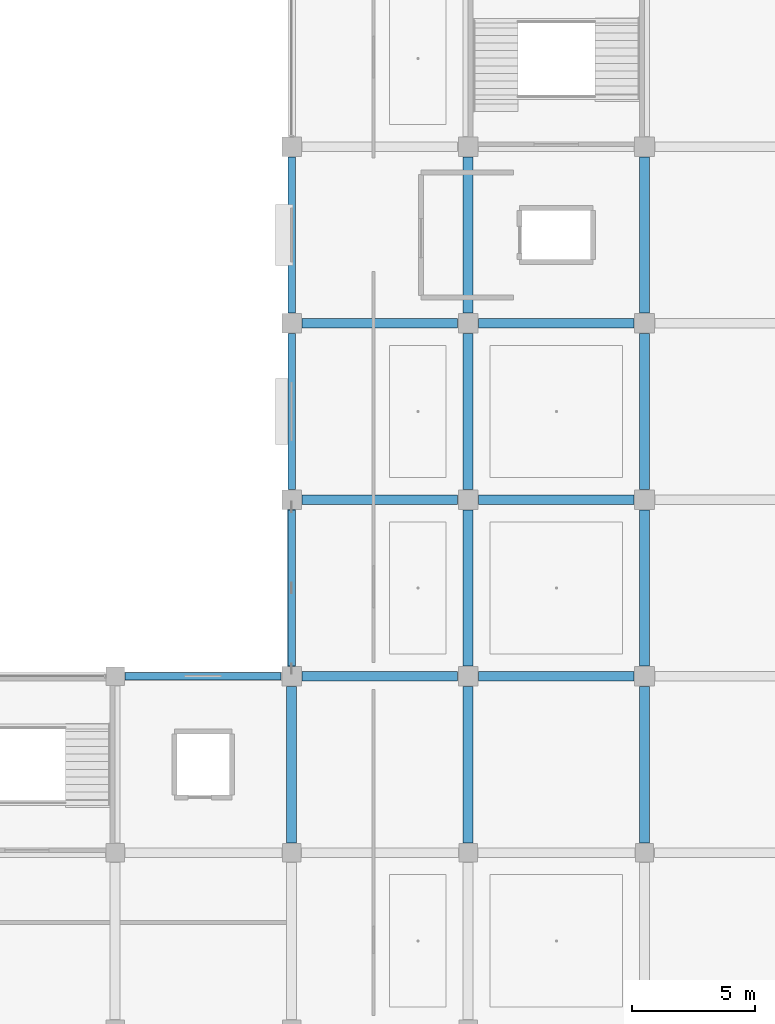
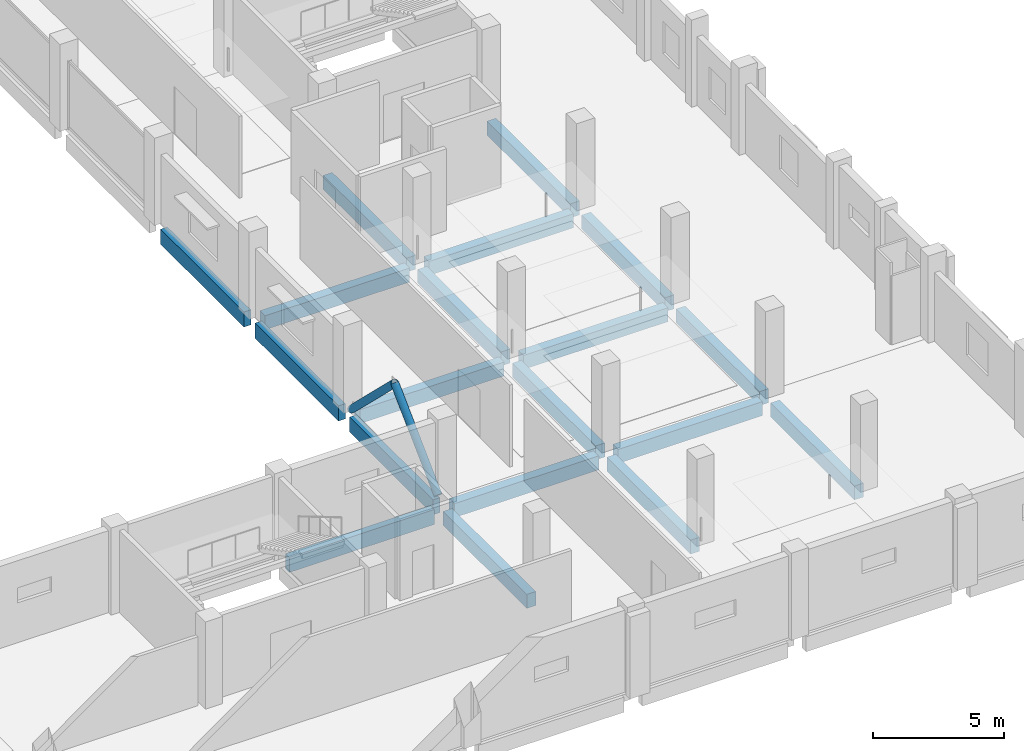
# One storey, part 55 of 107: 19 beams, 2 members.
"""IFC4 building model written with IfcOpenShell, lengths in metres."""

from ifc_helpers import new_model, si_unit, direction, frame, origin, origin_2d, place, context, subcontext, project, spatial, rectangle, hollow_circle, extrude, material, material_profile, profile_set, type_object, element, save


model = new_model("IFC4")

# Units and contexts
model_context = context("Model", 3, precision=1e-05, world=origin(), true_north=direction((0.0, 1.0)))
body_context = subcontext(model_context, "Body", "Model", "MODEL_VIEW")
ifc_project = project(units=[si_unit("LENGTHUNIT", "METRE"), si_unit("AREAUNIT", "SQUARE_METRE"), si_unit("VOLUMEUNIT", "CUBIC_METRE"), si_unit("PLANEANGLEUNIT", "RADIAN"), si_unit("MASSUNIT", "GRAM", prefix="KILO")], contexts=[model_context])

# Site, building, storey
site_placement = place(None, origin())
site = spatial("IfcSite", under=ifc_project, at=site_placement, CompositionType="ELEMENT")
building_placement = place(site_placement, origin())
building = spatial("IfcBuilding", under=site, at=building_placement, Name="Kangsadwip Square Police Headquarters", CompositionType="ELEMENT")
storey_placement = place(building_placement, frame((0.0, 0.0, 5.39990234375)))
storey = spatial("IfcBuildingStorey", under=building, at=storey_placement, Name="L01", CompositionType="ELEMENT", Elevation=5.39990234375)

# Beams
ifc_material_1 = material(Name="Concrete M35 (35 MPa)", Category="concrete")
ifc_material_profile_1 = material_profile(ifc_material_1, rectangle(XDim=0.39990234375, YDim=0.64990234375, at=origin_2d()), Name="RC BM 650X400")
ifc_profile_set_1 = profile_set([ifc_material_profile_1], Name="Concrete M35 (35 MPa)")
beam_type_1 = type_object("IfcBeamType", Name="RcBeam650x400", PredefinedType="BEAM", material=ifc_profile_set_1)
beam_1_placement = place(storey_placement, frame((144.425048828125, 36.0, -0.56494140625), z_axis=(1.0, 0.0, 0.0), x_axis=(0.0, 1.0, 0.0)))
element("IfcBeam", 1, at=beam_1_placement, inside=storey, type_object=beam_type_1, Name="Beam BM-L01-X-20-05", PredefinedType="BEAM", context=body_context, shape_type="SweptSolid", body=[
    extrude(rectangle(XDim=0.39990234375, YDim=0.64990234375, at=origin_2d()), origin(), (0.0, 0.0, 1.0), 6.349853515625),
])
beam_2_placement = place(storey_placement, frame((151.625, 36.0, -0.56494140625), z_axis=(1.0, 0.0, 0.0), x_axis=(0.0, 1.0, 0.0)))
element("IfcBeam", 2, at=beam_2_placement, inside=storey, type_object=beam_type_1, Name="Beam BM-L01-X-21-05", PredefinedType="BEAM", context=body_context, shape_type="SweptSolid", body=[
    extrude(rectangle(XDim=0.39990234375, YDim=0.64990234375, at=origin_2d()), origin(), (0.0, 0.0, 1.0), 6.35009765625),
])
beam_3_placement = place(storey_placement, frame((144.425048828125, 43.199951171875, -0.56494140625), z_axis=(1.0, 0.0, 0.0), x_axis=(0.0, 1.0, 0.0)))
element("IfcBeam", 3, at=beam_3_placement, inside=storey, type_object=beam_type_1, Name="Beam BM-L01-X-20-06", PredefinedType="BEAM", context=body_context, shape_type="SweptSolid", body=[
    extrude(rectangle(XDim=0.39990234375, YDim=0.64990234375, at=origin_2d()), origin(), (0.0, 0.0, 1.0), 6.349853515625),
])
beam_4_placement = place(storey_placement, frame((151.625, 43.199951171875, -0.56494140625), z_axis=(1.0, 0.0, 0.0), x_axis=(0.0, 1.0, 0.0)))
element("IfcBeam", 4, at=beam_4_placement, inside=storey, type_object=beam_type_1, Name="Beam BM-L01-X-21-06", PredefinedType="BEAM", context=body_context, shape_type="SweptSolid", body=[
    extrude(rectangle(XDim=0.39990234375, YDim=0.64990234375, at=origin_2d()), origin(), (0.0, 0.0, 1.0), 6.35009765625),
])
beam_5_placement = place(storey_placement, frame((144.425048828125, 50.39990234375, -0.56494140625), z_axis=(1.0, 0.0, 0.0), x_axis=(0.0, 1.0, 0.0)))
element("IfcBeam", 5, at=beam_5_placement, inside=storey, type_object=beam_type_1, Name="Beam BM-L01-X-20-07", PredefinedType="BEAM", context=body_context, shape_type="SweptSolid", body=[
    extrude(rectangle(XDim=0.39990234375, YDim=0.64990234375, at=origin_2d()), origin(), (0.0, 0.0, 1.0), 6.349853515625),
])
beam_6_placement = place(storey_placement, frame((151.625, 50.39990234375, -0.56494140625), z_axis=(1.0, 0.0, 0.0), x_axis=(0.0, 1.0, 0.0)))
element("IfcBeam", 6, at=beam_6_placement, inside=storey, type_object=beam_type_1, Name="Beam BM-L01-X-21-07", PredefinedType="BEAM", context=body_context, shape_type="SweptSolid", body=[
    extrude(rectangle(XDim=0.39990234375, YDim=0.64990234375, at=origin_2d()), origin(), (0.0, 0.0, 1.0), 6.35009765625),
])
for number, where, z_axis, x_axis, name in (
    (7, (144.0, 29.199951171875, -0.56494140625), (0.0, 1.0, 0.0), (-1.0, 0.0, 0.0), "Beam BM-L01-Y-20-04"),
    (8, (151.199951171875, 29.199951171875, -0.56494140625), (0.0, 1.0, 0.0), (-1.0, 0.0, 0.0), "Beam BM-L01-Y-21-04"),
):
    element("IfcBeam", number, at=place(storey_placement, frame(where, z_axis=z_axis, x_axis=x_axis)), inside=storey, type_object=beam_type_1, Name=name, PredefinedType="BEAM", context=body_context, shape_type="SweptSolid", body=[
        extrude(rectangle(XDim=0.39990234375, YDim=0.64990234375, at=origin_2d()), origin(), (0.0, 0.0, 1.0), 6.375),
    ])
beam_7_placement = place(storey_placement, frame((151.199951171875, 36.425048828125, -0.56494140625), z_axis=(0.0, 1.0, 0.0), x_axis=(-1.0, 0.0, 0.0)))
element("IfcBeam", 9, at=beam_7_placement, inside=storey, type_object=beam_type_1, Name="Beam BM-L01-Y-21-05", PredefinedType="BEAM", context=body_context, shape_type="SweptSolid", body=[
    extrude(rectangle(XDim=0.39990234375, YDim=0.64990234375, at=origin_2d()), origin(), (0.0, 0.0, 1.0), 6.349853515625),
])
for number, where, z_axis, x_axis, name in (
    (10, (151.199951171875, 43.625, -0.56494140625), (0.0, 1.0, 0.0), (-1.0, 0.0, 0.0), "Beam BM-L01-Y-21-06"),
    (11, (151.199951171875, 50.824951171875, -0.56494140625), (0.0, 1.0, 0.0), (-1.0, 0.0, 0.0), "Beam BM-L01-Y-21-07"),
):
    element("IfcBeam", number, at=place(storey_placement, frame(where, z_axis=z_axis, x_axis=x_axis)), inside=storey, type_object=beam_type_1, Name=name, PredefinedType="BEAM", context=body_context, shape_type="SweptSolid", body=[
        extrude(rectangle(XDim=0.39990234375, YDim=0.64990234375, at=origin_2d()), origin(), (0.0, 0.0, 1.0), 6.35009765625),
    ])
beam_8_placement = place(storey_placement, frame((158.39990234375, 29.199951171875, -0.56494140625), z_axis=(0.0, 1.0, 0.0), x_axis=(-1.0, 0.0, 0.0)))
element("IfcBeam", 12, at=beam_8_placement, inside=storey, type_object=beam_type_1, Name="Beam BM-L01-Y-22-04", PredefinedType="BEAM", context=body_context, shape_type="SweptSolid", body=[
    extrude(rectangle(XDim=0.39990234375, YDim=0.64990234375, at=origin_2d()), origin(), (0.0, 0.0, 1.0), 6.375),
])
beam_9_placement = place(storey_placement, frame((158.39990234375, 36.425048828125, -0.56494140625), z_axis=(0.0, 1.0, 0.0), x_axis=(-1.0, 0.0, 0.0)))
element("IfcBeam", 13, at=beam_9_placement, inside=storey, type_object=beam_type_1, Name="Beam BM-L01-Y-22-05", PredefinedType="BEAM", context=body_context, shape_type="SweptSolid", body=[
    extrude(rectangle(XDim=0.39990234375, YDim=0.64990234375, at=origin_2d()), origin(), (0.0, 0.0, 1.0), 6.349853515625),
])
for number, where, z_axis, x_axis, name in (
    (14, (158.39990234375, 43.625, -0.56494140625), (0.0, 1.0, 0.0), (-1.0, 0.0, 0.0), "Beam BM-L01-Y-22-06"),
    (15, (158.39990234375, 50.824951171875, -0.56494140625), (0.0, 1.0, 0.0), (-1.0, 0.0, 0.0), "Beam BM-L01-Y-22-07"),
):
    element("IfcBeam", number, at=place(storey_placement, frame(where, z_axis=z_axis, x_axis=x_axis)), inside=storey, type_object=beam_type_1, Name=name, PredefinedType="BEAM", context=body_context, shape_type="SweptSolid", body=[
        extrude(rectangle(XDim=0.39990234375, YDim=0.64990234375, at=origin_2d()), origin(), (0.0, 0.0, 1.0), 6.35009765625),
    ])
ifc_material_2 = material(Name="Concrete M40 (40 MPa)", Category="concrete")
ifc_material_profile_2 = material_profile(ifc_material_2, rectangle(XDim=0.300048828125, YDim=0.699951171875, at=origin_2d()), Name="RC SPN 700X300")
ifc_profile_set_2 = profile_set([ifc_material_profile_2], Name="Concrete M40 (40 MPa)")
beam_type_2 = type_object("IfcBeamType", Name="RcSpandrel700x300", PredefinedType="SPANDREL", material=ifc_profile_set_2)
beam_10_placement = place(storey_placement, frame((137.199951171875, 36.0, -0.58984375), z_axis=(1.0, 0.0, 0.0), x_axis=(0.0, 1.0, 0.0)))
element("IfcBeam", 16, at=beam_10_placement, inside=storey, type_object=beam_type_2, Name="Beam BM-L01-X-19-05", PredefinedType="SPANDREL", context=body_context, shape_type="SweptSolid", body=[
    extrude(rectangle(XDim=0.300048828125, YDim=0.699951171875, at=origin_2d()), origin(), (0.0, 0.0, 1.0), 6.375),
])
beam_11_placement = place(storey_placement, frame((144.0, 36.425048828125, -0.58984375), z_axis=(0.0, 1.0, 0.0), x_axis=(-1.0, 0.0, 0.0)))
element("IfcBeam", 17, at=beam_11_placement, inside=storey, type_object=beam_type_2, Name="Beam BM-L01-Y-20-05", PredefinedType="SPANDREL", context=body_context, shape_type="SweptSolid", body=[
    extrude(rectangle(XDim=0.300048828125, YDim=0.699951171875, at=origin_2d()), origin(), (0.0, 0.0, 1.0), 6.349853515625),
])
for number, where, z_axis, x_axis, name in (
    (18, (144.0, 43.625, -0.58984375), (0.0, 1.0, 0.0), (-1.0, 0.0, 0.0), "Beam BM-L01-Y-20-06"),
    (19, (144.0, 50.824951171875, -0.58984375), (0.0, 1.0, 0.0), (-1.0, 0.0, 0.0), "Beam BM-L01-Y-20-07"),
):
    element("IfcBeam", number, at=place(storey_placement, frame(where, z_axis=z_axis, x_axis=x_axis)), inside=storey, type_object=beam_type_2, Name=name, PredefinedType="SPANDREL", context=body_context, shape_type="SweptSolid", body=[
        extrude(rectangle(XDim=0.300048828125, YDim=0.699951171875, at=origin_2d()), origin(), (0.0, 0.0, 1.0), 6.35009765625),
    ])

# Members
ifc_material_3 = material(Name="Structural steel IS 2062 E350 (Grade 350, 350 MPa)", Category="steel")
ifc_material_profile_3 = material_profile(ifc_material_3, hollow_circle(Radius=0.162109375, WallThickness=0.011962890625, at=origin_2d()), Name="CHS 324X12")
ifc_profile_set_3 = profile_set([ifc_material_profile_3], Name="Structural steel IS 2062 E350 (Grade 350, 350 MPa)")
member_type = type_object("IfcMemberType", Name="TrussBraceChs324", PredefinedType="BRACE", material=ifc_profile_set_3)
member_1_placement = place(storey_placement, frame((144.0, 36.300048828125, 0.0), z_axis=(0.0, 0.716796845166, 0.697282068291), x_axis=(-1.0, 0.0, 0.0)))
element("IfcMember", 20, at=member_1_placement, inside=storey, type_object=member_type, Name="Truss Member MEM-L01-0288", PredefinedType="BRACE", context=body_context, shape_type="SweptSolid", body=[
    extrude(hollow_circle(Radius=0.162109375, WallThickness=0.011962890625, at=origin_2d()), origin(), (0.0, 0.0, 1.0), 4.60400390625),
])
member_2_placement = place(storey_placement, frame((144.0, 42.89990234375, 0.0), z_axis=(0.0, -0.716771060736, 0.697308573367), x_axis=(1.0, 0.0, 0.0)))
element("IfcMember", 21, at=member_2_placement, inside=storey, type_object=member_type, Name="Truss Member MEM-L01-0289", PredefinedType="BRACE", context=body_context, shape_type="SweptSolid", body=[
    extrude(hollow_circle(Radius=0.162109375, WallThickness=0.011962890625, at=origin_2d()), origin(), (0.0, 0.0, 1.0), 4.603759765625),
])

save(model, "model.ifc")
